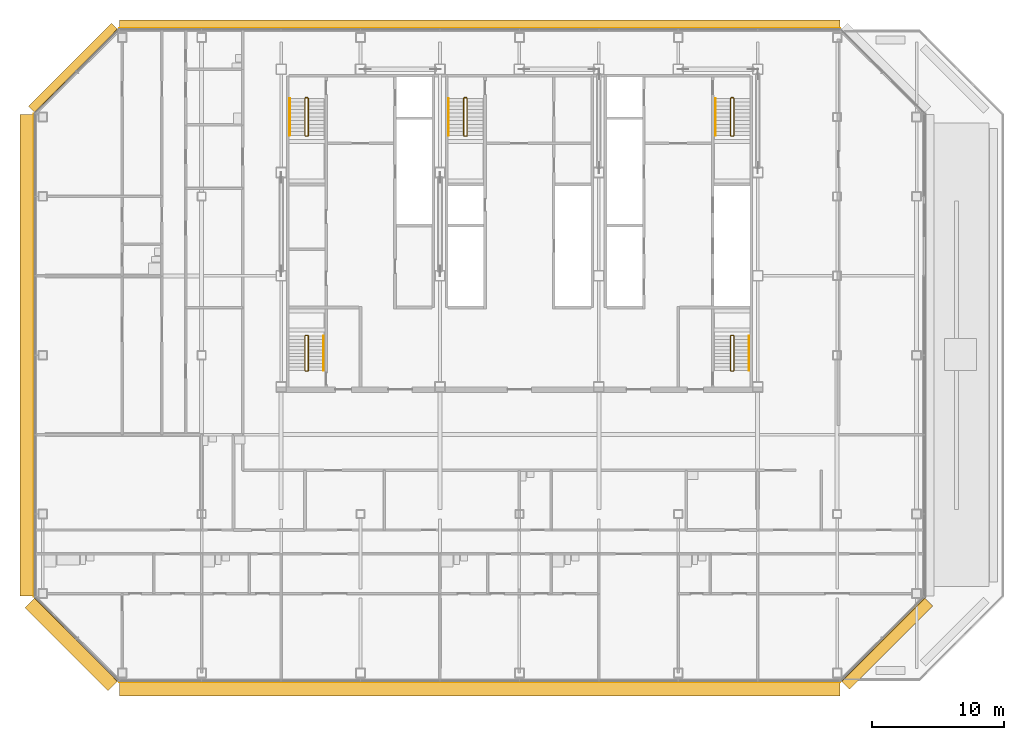
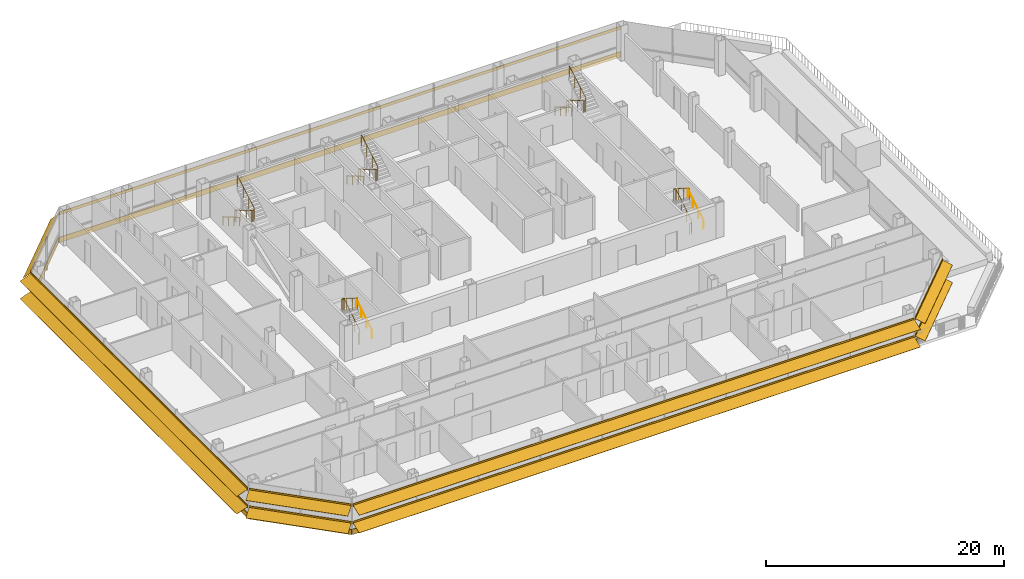
# One storey, part 24 of 27: 10 railings, 6 coverings, 6 shading devices.
"""IFC4 building model written with IfcOpenShell, lengths in metres."""

from ifc_helpers import new_model, si_unit, direction, frame, origin, origin_2d, place, context, subcontext, project, spatial, polyline, circle, outline, composite_profile, extrude, material, layer, layer_set, type_object, element, save


model = new_model("IFC4")

# Units and contexts
model_context = context("Model", 3, precision=1e-05, world=origin(), true_north=direction((0.0, 1.0)))
body_context = subcontext(model_context, "Body", "Model", "MODEL_VIEW")
ifc_project = project(units=[si_unit("LENGTHUNIT", "METRE"), si_unit("AREAUNIT", "SQUARE_METRE"), si_unit("VOLUMEUNIT", "CUBIC_METRE"), si_unit("PLANEANGLEUNIT", "RADIAN"), si_unit("MASSUNIT", "GRAM", prefix="KILO")], contexts=[model_context])

# Site, building, storey
site_placement = place(None, origin())
site = spatial("IfcSite", under=ifc_project, at=site_placement, CompositionType="ELEMENT")
building_placement = place(site_placement, origin())
building = spatial("IfcBuilding", under=site, at=building_placement, Name="Sorahane Residences", CompositionType="ELEMENT")
storey_placement = place(building_placement, frame((0.0, 0.0, 192.0)))
storey = spatial("IfcBuildingStorey", under=building, at=storey_placement, Name="L44", CompositionType="ELEMENT", Elevation=192.0)

# Shading devices
ifc_material_1 = material(Name="Terracotta anodised aluminium", Category="masonry")
shading_device_type_1 = type_object("IfcShadingDeviceType", Name="Louvre sunshade blade N terracotta aluminium 700", PredefinedType="JALOUSIE", material=ifc_material_1)
shading_device_1_placement = place(storey_placement, frame((48.198486328125, 48.60009765625, 2.699951171875), z_axis=(-1.0, 0.0, 0.0), x_axis=(0.0, -1.0, 0.0)))
element("IfcShadingDevice", 1, at=shading_device_1_placement, inside=storey, type_object=shading_device_type_1, Name="Louvre sunshade blade bank N L44 N1", PredefinedType="JALOUSIE", context=body_context, shape_type="SweptSolid", body=[
    extrude(outline(polyline([(-0.719970703125, -0.660888671875), (-0.719970703125, -0.69091796875), (-0.080078125, -0.072998046875), (-0.080078125, -0.14990234375), (-0.02001953125, -0.14990234375), (-0.02001953125, -0.014892578125), (-0.02001953125, 0.014892578125), (-0.02001953125, 0.14990234375), (-0.080078125, 0.14990234375), (-0.080078125, -0.04296875), (-0.719970703125, -0.660888671875)])), origin(), (0.0, 0.0, 1.0), 54.39697265625),
])
ifc_material_2 = material(Name="Terracotta anodised aluminium", Category="masonry")
shading_device_type_2 = type_object("IfcShadingDeviceType", Name="Louvre sunshade blade NW terracotta aluminium 700", PredefinedType="JALOUSIE", material=ifc_material_2)
shading_device_2_placement = place(storey_placement, frame((-6.283935546875, 48.564697265625, 2.699951171875), z_axis=(-0.707106781187, -0.707106781187, 0.0), x_axis=(0.707106781187, -0.707106781187, 0.0)))
element("IfcShadingDevice", 2, at=shading_device_2_placement, inside=storey, type_object=shading_device_type_2, Name="Louvre sunshade blade bank NW L44 NW1", PredefinedType="JALOUSIE", context=body_context, shape_type="SweptSolid", body=[
    extrude(outline(polyline([(-0.719970703125, -0.660888671875), (-0.719970703125, -0.69091796875), (-0.080078125, -0.072998046875), (-0.080078125, -0.14990234375), (-0.02001953125, -0.14990234375), (-0.02001953125, -0.014892578125), (-0.02001953125, 0.014892578125), (-0.02001953125, 0.14990234375), (-0.080078125, 0.14990234375), (-0.080078125, -0.04296875), (-0.719970703125, -0.660888671875)])), origin(), (0.0, 0.0, 1.0), 8.88232421875),
])
ifc_material_3 = material(Name="Terracotta anodised aluminium", Category="masonry")
shading_device_type_3 = type_object("IfcShadingDeviceType", Name="Louvre sunshade blade S terracotta aluminium 1100", PredefinedType="JALOUSIE", material=ifc_material_3)
shading_device_3_placement = place(storey_placement, frame((-6.198486328125, -0.60009765625, 0.89990234375), z_axis=(1.0, 0.0, 0.0), x_axis=(0.0, 1.0, 0.0)))
element("IfcShadingDevice", 3, at=shading_device_3_placement, inside=storey, type_object=shading_device_type_3, Name="Louvre sunshade blade bank S L44 S1", PredefinedType="JALOUSIE", context=body_context, shape_type="SweptSolid", body=[
    extrude(composite_profile([outline(polyline([(-1.1201171875, -0.385498046875), (-1.1201171875, -0.415283203125), (-0.080078125, -0.036865234375), (-0.080078125, -0.14990234375), (-0.02001953125, -0.14990234375), (-0.02001953125, -0.014892578125), (-0.02001953125, 0.014892578125), (-0.02001953125, 0.14990234375), (-0.080078125, 0.14990234375), (-0.080078125, -0.0068359375), (-1.1201171875, -0.385498046875)])), outline(polyline([(-1.1201171875, 1.41455078125), (-1.1201171875, 1.384521484375), (-0.080078125, 1.76318359375), (-0.080078125, 1.64990234375), (-0.02001953125, 1.64990234375), (-0.02001953125, 1.784912109375), (-0.02001953125, 1.81494140625), (-0.02001953125, 1.949951171875), (-0.080078125, 1.949951171875), (-0.080078125, 1.793212890625), (-1.1201171875, 1.41455078125)]))]), origin(), (0.0, 0.0, 1.0), 54.39697265625),
])
ifc_material_4 = material(Name="Terracotta anodised aluminium", Category="masonry")
shading_device_type_4 = type_object("IfcShadingDeviceType", Name="Louvre sunshade blade SE terracotta aluminium 900", PredefinedType="JALOUSIE", material=ifc_material_4)
shading_device_4_placement = place(storey_placement, frame((48.283935546875, -0.564697265625, 0.89990234375), z_axis=(0.707106781187, 0.707106781187, 0.0), x_axis=(-0.707106781187, 0.707106781187, 0.0)))
element("IfcShadingDevice", 4, at=shading_device_4_placement, inside=storey, type_object=shading_device_type_4, Name="Louvre sunshade blade bank SE L44 SE1", PredefinedType="JALOUSIE", context=body_context, shape_type="SweptSolid", body=[
    extrude(composite_profile([outline(polyline([(-0.919921875, -0.3486328125), (-0.919921875, -0.378662109375), (-0.080078125, -0.039306640625), (-0.080078125, -0.14990234375), (-0.02001953125, -0.14990234375), (-0.02001953125, -0.014892578125), (-0.02001953125, 0.014892578125), (-0.02001953125, 0.14990234375), (-0.080078125, 0.14990234375), (-0.080078125, -0.00927734375), (-0.919921875, -0.3486328125)])), outline(polyline([(-0.919921875, 1.451416015625), (-0.919921875, 1.42138671875), (-0.080078125, 1.7607421875), (-0.080078125, 1.64990234375), (-0.02001953125, 1.64990234375), (-0.02001953125, 1.784912109375), (-0.02001953125, 1.81494140625), (-0.02001953125, 1.949951171875), (-0.080078125, 1.949951171875), (-0.080078125, 1.790771484375), (-0.919921875, 1.451416015625)]))]), origin(), (0.0, 0.0, 1.0), 8.88232421875),
])
ifc_material_5 = material(Name="Terracotta anodised aluminium", Category="masonry")
shading_device_type_5 = type_object("IfcShadingDeviceType", Name="Louvre sunshade blade SW terracotta aluminium 1100", PredefinedType="JALOUSIE", material=ifc_material_5)
shading_device_5_placement = place(storey_placement, frame((-12.564697265625, 5.716064453125, 0.89990234375), z_axis=(0.707106781187, -0.707106781187, 0.0), x_axis=(0.707106781187, 0.707106781187, 0.0)))
element("IfcShadingDevice", 5, at=shading_device_5_placement, inside=storey, type_object=shading_device_type_5, Name="Louvre sunshade blade bank SW L44 SW1", PredefinedType="JALOUSIE", context=body_context, shape_type="SweptSolid", body=[
    extrude(composite_profile([outline(polyline([(-1.1201171875, -0.385498046875), (-1.1201171875, -0.415283203125), (-0.080078125, -0.036865234375), (-0.080078125, -0.14990234375), (-0.02001953125, -0.14990234375), (-0.02001953125, -0.014892578125), (-0.02001953125, 0.014892578125), (-0.02001953125, 0.14990234375), (-0.080078125, 0.14990234375), (-0.080078125, -0.0068359375), (-1.1201171875, -0.385498046875)])), outline(polyline([(-1.1201171875, 1.41455078125), (-1.1201171875, 1.384521484375), (-0.080078125, 1.76318359375), (-0.080078125, 1.64990234375), (-0.02001953125, 1.64990234375), (-0.02001953125, 1.784912109375), (-0.02001953125, 1.81494140625), (-0.02001953125, 1.949951171875), (-0.080078125, 1.949951171875), (-0.080078125, 1.793212890625), (-1.1201171875, 1.41455078125)]))]), origin(), (0.0, 0.0, 1.0), 8.88232421875),
])
ifc_material_6 = material(Name="Terracotta anodised aluminium", Category="masonry")
shading_device_type_6 = type_object("IfcShadingDeviceType", Name="Louvre sunshade blade W terracotta aluminium 1100", PredefinedType="JALOUSIE", material=ifc_material_6)
shading_device_6_placement = place(storey_placement, frame((-12.60009765625, 42.198486328125, 0.89990234375), z_axis=(0.0, -1.0, 0.0), x_axis=(1.0, 0.0, 0.0)))
element("IfcShadingDevice", 6, at=shading_device_6_placement, inside=storey, type_object=shading_device_type_6, Name="Louvre sunshade blade bank W L44 W1", PredefinedType="JALOUSIE", context=body_context, shape_type="SweptSolid", body=[
    extrude(composite_profile([outline(polyline([(-1.1201171875, -0.385498046875), (-1.1201171875, -0.415283203125), (-0.080078125, -0.036865234375), (-0.080078125, -0.14990234375), (-0.02001953125, -0.14990234375), (-0.02001953125, -0.014892578125), (-0.02001953125, 0.014892578125), (-0.02001953125, 0.14990234375), (-0.080078125, 0.14990234375), (-0.080078125, -0.0068359375), (-1.1201171875, -0.385498046875)])), outline(polyline([(-1.1201171875, 1.41455078125), (-1.1201171875, 1.384521484375), (-0.080078125, 1.76318359375), (-0.080078125, 1.64990234375), (-0.02001953125, 1.64990234375), (-0.02001953125, 1.784912109375), (-0.02001953125, 1.81494140625), (-0.02001953125, 1.949951171875), (-0.080078125, 1.949951171875), (-0.080078125, 1.793212890625), (-1.1201171875, 1.41455078125)]))]), origin(), (0.0, 0.0, 1.0), 36.39697265625),
])

# Coverings
ifc_material_7 = material(Name="Pale precast concrete cladding", Category="concrete")
ifc_layer = layer(ifc_material_7, 0.06005859375)
ifc_layer_set = layer_set([ifc_layer], Name="Slab edge fascia band pale precast concrete 550")
covering_type = type_object("IfcCoveringType", Name="Slab edge fascia band pale precast concrete 550", PredefinedType="CLADDING", material=ifc_layer_set)
covering_1_placement = place(storey_placement, frame((-6.228515625, -0.60009765625, -0.02490234375), z_axis=(1.0, 0.0, 0.0), x_axis=(0.0, 1.0, 0.0)))
element("IfcCovering", 7, at=covering_1_placement, inside=storey, type_object=covering_type, Name="Slab edge fascia pale L44 S1", PredefinedType="CLADDING", context=body_context, shape_type="SweptSolid", body=[
    extrude(outline(polyline([(-0.02001953125, 0.27490234375), (-0.080078125, 0.27490234375), (-0.080078125, -0.27490234375), (-0.02001953125, -0.27490234375), (-0.02001953125, 0.27490234375)])), origin(), (0.0, 0.0, 1.0), 54.45703125),
])
covering_2_placement = place(storey_placement, frame((48.2626953125, -0.5859375, -0.02490234375), z_axis=(0.707106781187, 0.707106781187, 0.0), x_axis=(-0.707106781187, 0.707106781187, 0.0)))
element("IfcCovering", 8, at=covering_2_placement, inside=storey, type_object=covering_type, Name="Slab edge fascia pale L44 SE1", PredefinedType="CLADDING", context=body_context, shape_type="SweptSolid", body=[
    extrude(outline(polyline([(-0.02001953125, 0.27490234375), (-0.080078125, 0.27490234375), (-0.080078125, -0.27490234375), (-0.02001953125, -0.27490234375), (-0.02001953125, 0.27490234375)])), origin(), (0.0, 0.0, 1.0), 8.9423828125),
])
covering_3_placement = place(storey_placement, frame((48.228515625, 48.60009765625, -0.02490234375), z_axis=(-1.0, 0.0, 0.0), x_axis=(0.0, -1.0, 0.0)))
element("IfcCovering", 9, at=covering_3_placement, inside=storey, type_object=covering_type, Name="Slab edge fascia pale L44 N1", PredefinedType="CLADDING", context=body_context, shape_type="SweptSolid", body=[
    extrude(outline(polyline([(-0.02001953125, 0.27490234375), (-0.080078125, 0.27490234375), (-0.080078125, -0.27490234375), (-0.02001953125, -0.27490234375), (-0.02001953125, 0.27490234375)])), origin(), (0.0, 0.0, 1.0), 54.45703125),
])
covering_4_placement = place(storey_placement, frame((-6.2626953125, 48.5859375, -0.02490234375), z_axis=(-0.707106781187, -0.707106781187, 0.0), x_axis=(0.707106781187, -0.707106781187, 0.0)))
element("IfcCovering", 10, at=covering_4_placement, inside=storey, type_object=covering_type, Name="Slab edge fascia pale L44 NW1", PredefinedType="CLADDING", context=body_context, shape_type="SweptSolid", body=[
    extrude(outline(polyline([(-0.02001953125, 0.27490234375), (-0.080078125, 0.27490234375), (-0.080078125, -0.27490234375), (-0.02001953125, -0.27490234375), (-0.02001953125, 0.27490234375)])), origin(), (0.0, 0.0, 1.0), 8.9423828125),
])
covering_5_placement = place(storey_placement, frame((-12.60009765625, 42.228515625, -0.02490234375), z_axis=(0.0, -1.0, 0.0), x_axis=(1.0, 0.0, 0.0)))
element("IfcCovering", 11, at=covering_5_placement, inside=storey, type_object=covering_type, Name="Slab edge fascia pale L44 W1", PredefinedType="CLADDING", context=body_context, shape_type="SweptSolid", body=[
    extrude(outline(polyline([(-0.02001953125, 0.27490234375), (-0.080078125, 0.27490234375), (-0.080078125, -0.27490234375), (-0.02001953125, -0.27490234375), (-0.02001953125, 0.27490234375)])), origin(), (0.0, 0.0, 1.0), 36.45703125),
])
covering_6_placement = place(storey_placement, frame((-12.5859375, 5.7373046875, -0.02490234375), z_axis=(0.707106781187, -0.707106781187, 0.0), x_axis=(0.707106781187, 0.707106781187, 0.0)))
element("IfcCovering", 12, at=covering_6_placement, inside=storey, type_object=covering_type, Name="Slab edge fascia pale L44 SW1", PredefinedType="CLADDING", context=body_context, shape_type="SweptSolid", body=[
    extrude(outline(polyline([(-0.02001953125, 0.27490234375), (-0.080078125, 0.27490234375), (-0.080078125, -0.27490234375), (-0.02001953125, -0.27490234375), (-0.02001953125, 0.27490234375)])), origin(), (0.0, 0.0, 1.0), 8.9423828125),
])

# Railings
ifc_material_8 = material(Name="Steel Q355B", Category="steel")
railing_type_1 = type_object("IfcRailingType", Name="Stair guard 1200 Steel Q355B", PredefinedType="GUARDRAIL", material=ifc_material_8)
railing_1_placement = place(storey_placement, frame((8.0, 43.449951171875, 0.0)))
element("IfcRailing", 13, at=railing_1_placement, inside=storey, type_object=railing_type_1, Name="L44 S1 stair guard 1", PredefinedType="GUARDRAIL", context=body_context, shape_type="SweptSolid", body=[
    extrude(circle(Radius=0.02392578125, at=origin_2d()), frame((0.0, 0.0, 1.17578125), z_axis=(-1.0, 0.0, 0.0), x_axis=(0.0, -1.0, 0.0)), (0.0, 0.0, 1.0), 0.14990234375),
    extrude(circle(Radius=0.02392578125, at=origin_2d()), frame((-0.14990234375, 0.0, 1.17578125), z_axis=(-0.280808744504, -0.280808744504, 0.917765164963), x_axis=(0.707106781187, -0.707106781187, 0.0)), (0.0, 0.0, 1.0), 0.17822265625),
    extrude(circle(Radius=0.02392578125, at=origin_2d()), frame((-0.199951171875, -0.050048828125, 1.33935546875), z_axis=(0.0, -0.863341702679, 0.504619762213), x_axis=(1.0, 0.0, 0.0)), (0.0, 0.0, 1.0), 3.242919921875),
    extrude(circle(Radius=0.02392578125, at=origin_2d()), frame((-0.199951171875, -2.849853515625, 2.97607421875), z_axis=(0.707106781187, -0.707106781187, 0.0), x_axis=(0.707106781187, 0.707106781187, 0.0)), (0.0, 0.0, 1.0), 0.07080078125),
    extrude(circle(Radius=0.02392578125, at=origin_2d()), frame((-0.14990234375, -2.89990234375, 2.97607421875), z_axis=(1.0, 0.0, 0.0), x_axis=(0.0, 1.0, 0.0)), (0.0, 0.0, 1.0), 0.14990234375),
    extrude(circle(Radius=0.02392578125, at=origin_2d()), frame((0.0, -2.89990234375, 2.97607421875), z_axis=(0.280808744504, 0.280808744504, 0.917765164963), x_axis=(-0.707106781187, 0.707106781187, 0.0)), (0.0, 0.0, 1.0), 0.17822265625),
    extrude(circle(Radius=0.02392578125, at=origin_2d()), frame((0.050048828125, -2.849853515625, 3.1396484375), z_axis=(0.0, 0.863341702679, 0.504619762213), x_axis=(-1.0, 0.0, 0.0)), (0.0, 0.0, 1.0), 3.242919921875),
    extrude(circle(Radius=0.02099609375, at=origin_2d()), origin(), (0.0, 0.0, 1.0), 1.15185546875),
    extrude(circle(Radius=0.02099609375, at=origin_2d()), frame((-0.14990234375, 0.0, 0.0)), (0.0, 0.0, 1.0), 1.15185546875),
    extrude(circle(Radius=0.02099609375, at=origin_2d()), frame((-0.199951171875, -0.050048828125, 0.16357421875)), (0.0, 0.0, 1.0), 1.15185546875),
    extrude(circle(Radius=0.02099609375, at=origin_2d()), frame((-0.199951171875, -0.9833984375, 0.708984375)), (0.0, 0.0, 1.0), 1.15185546875),
    extrude(circle(Radius=0.02099609375, at=origin_2d()), frame((-0.199951171875, -1.91650390625, 1.254638671875)), (0.0, 0.0, 1.0), 1.15185546875),
    extrude(circle(Radius=0.02099609375, at=origin_2d()), frame((-0.199951171875, -2.849853515625, 1.800048828125)), (0.0, 0.0, 1.0), 1.15185546875),
    extrude(circle(Radius=0.02099609375, at=origin_2d()), frame((-0.14990234375, -2.89990234375, 1.800048828125)), (0.0, 0.0, 1.0), 1.15185546875),
    extrude(circle(Radius=0.02099609375, at=origin_2d()), frame((0.0, -2.89990234375, 1.800048828125)), (0.0, 0.0, 1.0), 1.15185546875),
    extrude(circle(Radius=0.02099609375, at=origin_2d()), frame((0.050048828125, -2.849853515625, 1.963623046875)), (0.0, 0.0, 1.0), 1.15185546875),
    extrude(circle(Radius=0.02099609375, at=origin_2d()), frame((0.050048828125, -1.91650390625, 2.509033203125)), (0.0, 0.0, 1.0), 1.15185546875),
    extrude(circle(Radius=0.02099609375, at=origin_2d()), frame((0.050048828125, -0.9833984375, 3.0546875)), (0.0, 0.0, 1.0), 1.15185546875),
    extrude(circle(Radius=0.02099609375, at=origin_2d()), frame((0.050048828125, -0.050048828125, 3.60009765625)), (0.0, 0.0, 1.0), 1.15185546875),
])
railing_2_placement = place(storey_placement, frame((40.14990234375, 43.449951171875, 0.0)))
element("IfcRailing", 14, at=railing_2_placement, inside=storey, type_object=railing_type_1, Name="L44 S2 stair guard 1", PredefinedType="GUARDRAIL", context=body_context, shape_type="SweptSolid", body=[
    extrude(circle(Radius=0.02392578125, at=origin_2d()), frame((0.0, 0.0, 1.17578125), z_axis=(-1.0, 0.0, 0.0), x_axis=(0.0, -1.0, 0.0)), (0.0, 0.0, 1.0), 0.14990234375),
    extrude(circle(Radius=0.02392578125, at=origin_2d()), frame((-0.14990234375, 0.0, 1.17578125), z_axis=(-0.280808744504, -0.280808744504, 0.917765164963), x_axis=(0.707106781187, -0.707106781187, 0.0)), (0.0, 0.0, 1.0), 0.17822265625),
    extrude(circle(Radius=0.02392578125, at=origin_2d()), frame((-0.199951171875, -0.050048828125, 1.33935546875), z_axis=(0.0, -0.863341702679, 0.504619762213), x_axis=(1.0, 0.0, 0.0)), (0.0, 0.0, 1.0), 3.242919921875),
    extrude(circle(Radius=0.02392578125, at=origin_2d()), frame((-0.199951171875, -2.849853515625, 2.97607421875), z_axis=(0.707106781187, -0.707106781187, 0.0), x_axis=(0.707106781187, 0.707106781187, 0.0)), (0.0, 0.0, 1.0), 0.07080078125),
    extrude(circle(Radius=0.02392578125, at=origin_2d()), frame((-0.14990234375, -2.89990234375, 2.97607421875), z_axis=(1.0, 0.0, 0.0), x_axis=(0.0, 1.0, 0.0)), (0.0, 0.0, 1.0), 0.14990234375),
    extrude(circle(Radius=0.02392578125, at=origin_2d()), frame((0.0, -2.89990234375, 2.97607421875), z_axis=(0.280808744504, 0.280808744504, 0.917765164963), x_axis=(-0.707106781187, 0.707106781187, 0.0)), (0.0, 0.0, 1.0), 0.17822265625),
    extrude(circle(Radius=0.02392578125, at=origin_2d()), frame((0.050048828125, -2.849853515625, 3.1396484375), z_axis=(0.0, 0.863341702679, 0.504619762213), x_axis=(-1.0, 0.0, 0.0)), (0.0, 0.0, 1.0), 3.242919921875),
    extrude(circle(Radius=0.02099609375, at=origin_2d()), origin(), (0.0, 0.0, 1.0), 1.15185546875),
    extrude(circle(Radius=0.02099609375, at=origin_2d()), frame((-0.14990234375, 0.0, 0.0)), (0.0, 0.0, 1.0), 1.15185546875),
    extrude(circle(Radius=0.02099609375, at=origin_2d()), frame((-0.199951171875, -0.050048828125, 0.16357421875)), (0.0, 0.0, 1.0), 1.15185546875),
    extrude(circle(Radius=0.02099609375, at=origin_2d()), frame((-0.199951171875, -0.9833984375, 0.708984375)), (0.0, 0.0, 1.0), 1.15185546875),
    extrude(circle(Radius=0.02099609375, at=origin_2d()), frame((-0.199951171875, -1.91650390625, 1.254638671875)), (0.0, 0.0, 1.0), 1.15185546875),
    extrude(circle(Radius=0.02099609375, at=origin_2d()), frame((-0.199951171875, -2.849853515625, 1.800048828125)), (0.0, 0.0, 1.0), 1.15185546875),
    extrude(circle(Radius=0.02099609375, at=origin_2d()), frame((-0.14990234375, -2.89990234375, 1.800048828125)), (0.0, 0.0, 1.0), 1.15185546875),
    extrude(circle(Radius=0.02099609375, at=origin_2d()), frame((0.0, -2.89990234375, 1.800048828125)), (0.0, 0.0, 1.0), 1.15185546875),
    extrude(circle(Radius=0.02099609375, at=origin_2d()), frame((0.050048828125, -2.849853515625, 1.963623046875)), (0.0, 0.0, 1.0), 1.15185546875),
    extrude(circle(Radius=0.02099609375, at=origin_2d()), frame((0.050048828125, -1.91650390625, 2.509033203125)), (0.0, 0.0, 1.0), 1.15185546875),
    extrude(circle(Radius=0.02099609375, at=origin_2d()), frame((0.050048828125, -0.9833984375, 3.0546875)), (0.0, 0.0, 1.0), 1.15185546875),
    extrude(circle(Radius=0.02099609375, at=origin_2d()), frame((0.050048828125, -0.050048828125, 3.60009765625)), (0.0, 0.0, 1.0), 1.15185546875),
])
railing_3_placement = place(storey_placement, frame((20.0, 43.449951171875, 0.0)))
element("IfcRailing", 15, at=railing_3_placement, inside=storey, type_object=railing_type_1, Name="L44 S3 stair guard 1", PredefinedType="GUARDRAIL", context=body_context, shape_type="SweptSolid", body=[
    extrude(circle(Radius=0.02392578125, at=origin_2d()), frame((0.0, 0.0, 1.17578125), z_axis=(-1.0, 0.0, 0.0), x_axis=(0.0, -1.0, 0.0)), (0.0, 0.0, 1.0), 0.14990234375),
    extrude(circle(Radius=0.02392578125, at=origin_2d()), frame((-0.14990234375, 0.0, 1.17578125), z_axis=(-0.280808744504, -0.280808744504, 0.917765164963), x_axis=(0.707106781187, -0.707106781187, 0.0)), (0.0, 0.0, 1.0), 0.17822265625),
    extrude(circle(Radius=0.02392578125, at=origin_2d()), frame((-0.199951171875, -0.050048828125, 1.33935546875), z_axis=(0.0, -0.863341702679, 0.504619762213), x_axis=(1.0, 0.0, 0.0)), (0.0, 0.0, 1.0), 3.242919921875),
    extrude(circle(Radius=0.02392578125, at=origin_2d()), frame((-0.199951171875, -2.849853515625, 2.97607421875), z_axis=(0.707106781187, -0.707106781187, 0.0), x_axis=(0.707106781187, 0.707106781187, 0.0)), (0.0, 0.0, 1.0), 0.07080078125),
    extrude(circle(Radius=0.02392578125, at=origin_2d()), frame((-0.14990234375, -2.89990234375, 2.97607421875), z_axis=(1.0, 0.0, 0.0), x_axis=(0.0, 1.0, 0.0)), (0.0, 0.0, 1.0), 0.14990234375),
    extrude(circle(Radius=0.02392578125, at=origin_2d()), frame((0.0, -2.89990234375, 2.97607421875), z_axis=(0.280808744504, 0.280808744504, 0.917765164963), x_axis=(-0.707106781187, 0.707106781187, 0.0)), (0.0, 0.0, 1.0), 0.17822265625),
    extrude(circle(Radius=0.02392578125, at=origin_2d()), frame((0.050048828125, -2.849853515625, 3.1396484375), z_axis=(0.0, 0.863341702679, 0.504619762213), x_axis=(-1.0, 0.0, 0.0)), (0.0, 0.0, 1.0), 3.242919921875),
    extrude(circle(Radius=0.02099609375, at=origin_2d()), origin(), (0.0, 0.0, 1.0), 1.15185546875),
    extrude(circle(Radius=0.02099609375, at=origin_2d()), frame((-0.14990234375, 0.0, 0.0)), (0.0, 0.0, 1.0), 1.15185546875),
    extrude(circle(Radius=0.02099609375, at=origin_2d()), frame((-0.199951171875, -0.050048828125, 0.16357421875)), (0.0, 0.0, 1.0), 1.15185546875),
    extrude(circle(Radius=0.02099609375, at=origin_2d()), frame((-0.199951171875, -0.9833984375, 0.708984375)), (0.0, 0.0, 1.0), 1.15185546875),
    extrude(circle(Radius=0.02099609375, at=origin_2d()), frame((-0.199951171875, -1.91650390625, 1.254638671875)), (0.0, 0.0, 1.0), 1.15185546875),
    extrude(circle(Radius=0.02099609375, at=origin_2d()), frame((-0.199951171875, -2.849853515625, 1.800048828125)), (0.0, 0.0, 1.0), 1.15185546875),
    extrude(circle(Radius=0.02099609375, at=origin_2d()), frame((-0.14990234375, -2.89990234375, 1.800048828125)), (0.0, 0.0, 1.0), 1.15185546875),
    extrude(circle(Radius=0.02099609375, at=origin_2d()), frame((0.0, -2.89990234375, 1.800048828125)), (0.0, 0.0, 1.0), 1.15185546875),
    extrude(circle(Radius=0.02099609375, at=origin_2d()), frame((0.050048828125, -2.849853515625, 1.963623046875)), (0.0, 0.0, 1.0), 1.15185546875),
    extrude(circle(Radius=0.02099609375, at=origin_2d()), frame((0.050048828125, -1.91650390625, 2.509033203125)), (0.0, 0.0, 1.0), 1.15185546875),
    extrude(circle(Radius=0.02099609375, at=origin_2d()), frame((0.050048828125, -0.9833984375, 3.0546875)), (0.0, 0.0, 1.0), 1.15185546875),
    extrude(circle(Radius=0.02099609375, at=origin_2d()), frame((0.050048828125, -0.050048828125, 3.60009765625)), (0.0, 0.0, 1.0), 1.15185546875),
])
railing_4_placement = place(storey_placement, frame((7.85009765625, 22.800048828125, 0.0)))
element("IfcRailing", 16, at=railing_4_placement, inside=storey, type_object=railing_type_1, Name="L44 S4 stair guard 1", PredefinedType="GUARDRAIL", context=body_context, shape_type="SweptSolid", body=[
    extrude(circle(Radius=0.02392578125, at=origin_2d()), frame((0.0, 0.0, 1.17578125), z_axis=(1.0, 0.0, 0.0), x_axis=(0.0, 1.0, 0.0)), (0.0, 0.0, 1.0), 0.14990234375),
    extrude(circle(Radius=0.02392578125, at=origin_2d()), frame((0.14990234375, 0.0, 1.17578125), z_axis=(0.280808744504, 0.280808744504, 0.917765164963), x_axis=(-0.707106781187, 0.707106781187, 0.0)), (0.0, 0.0, 1.0), 0.17822265625),
    extrude(circle(Radius=0.02392578125, at=origin_2d()), frame((0.199951171875, 0.050048828125, 1.33935546875), z_axis=(0.0, 0.846301844409, 0.532703658848), x_axis=(-1.0, 0.0, 0.0)), (0.0, 0.0, 1.0), 3.072021484375),
    extrude(circle(Radius=0.02392578125, at=origin_2d()), frame((0.199951171875, 2.64990234375, 2.97607421875), z_axis=(-0.707106781187, 0.707106781187, 0.0), x_axis=(-0.707106781187, -0.707106781187, 0.0)), (0.0, 0.0, 1.0), 0.07080078125),
    extrude(circle(Radius=0.02392578125, at=origin_2d()), frame((0.14990234375, 2.699951171875, 2.97607421875), z_axis=(-1.0, 0.0, 0.0), x_axis=(0.0, -1.0, 0.0)), (0.0, 0.0, 1.0), 0.14990234375),
    extrude(circle(Radius=0.02392578125, at=origin_2d()), frame((0.0, 2.699951171875, 2.97607421875), z_axis=(-0.280808744504, -0.280808744504, 0.917765164963), x_axis=(0.707106781187, -0.707106781187, 0.0)), (0.0, 0.0, 1.0), 0.17822265625),
    extrude(circle(Radius=0.02392578125, at=origin_2d()), frame((-0.050048828125, 2.64990234375, 3.1396484375), z_axis=(0.0, -0.846301844409, 0.532703658848), x_axis=(1.0, 0.0, 0.0)), (0.0, 0.0, 1.0), 3.072021484375),
    extrude(circle(Radius=0.02099609375, at=origin_2d()), origin(), (0.0, 0.0, 1.0), 1.15185546875),
    extrude(circle(Radius=0.02099609375, at=origin_2d()), frame((0.14990234375, 0.0, 0.0)), (0.0, 0.0, 1.0), 1.15185546875),
    extrude(circle(Radius=0.02099609375, at=origin_2d()), frame((0.199951171875, 0.050048828125, 0.16357421875)), (0.0, 0.0, 1.0), 1.15185546875),
    extrude(circle(Radius=0.02099609375, at=origin_2d()), frame((0.199951171875, 0.916748046875, 0.708984375)), (0.0, 0.0, 1.0), 1.15185546875),
    extrude(circle(Radius=0.02099609375, at=origin_2d()), frame((0.199951171875, 1.783203125, 1.254638671875)), (0.0, 0.0, 1.0), 1.15185546875),
    extrude(circle(Radius=0.02099609375, at=origin_2d()), frame((0.199951171875, 2.64990234375, 1.800048828125)), (0.0, 0.0, 1.0), 1.15185546875),
    extrude(circle(Radius=0.02099609375, at=origin_2d()), frame((0.14990234375, 2.699951171875, 1.800048828125)), (0.0, 0.0, 1.0), 1.15185546875),
    extrude(circle(Radius=0.02099609375, at=origin_2d()), frame((0.0, 2.699951171875, 1.800048828125)), (0.0, 0.0, 1.0), 1.15185546875),
    extrude(circle(Radius=0.02099609375, at=origin_2d()), frame((-0.050048828125, 2.64990234375, 1.963623046875)), (0.0, 0.0, 1.0), 1.15185546875),
    extrude(circle(Radius=0.02099609375, at=origin_2d()), frame((-0.050048828125, 1.783203125, 2.509033203125)), (0.0, 0.0, 1.0), 1.15185546875),
    extrude(circle(Radius=0.02099609375, at=origin_2d()), frame((-0.050048828125, 0.916748046875, 3.0546875)), (0.0, 0.0, 1.0), 1.15185546875),
    extrude(circle(Radius=0.02099609375, at=origin_2d()), frame((-0.050048828125, 0.050048828125, 3.60009765625)), (0.0, 0.0, 1.0), 1.15185546875),
])
railing_5_placement = place(storey_placement, frame((40.0, 22.800048828125, 0.0)))
element("IfcRailing", 17, at=railing_5_placement, inside=storey, type_object=railing_type_1, Name="L44 S5 stair guard 1", PredefinedType="GUARDRAIL", context=body_context, shape_type="SweptSolid", body=[
    extrude(circle(Radius=0.02392578125, at=origin_2d()), frame((0.0, 0.0, 1.17578125), z_axis=(1.0, 0.0, 0.0), x_axis=(0.0, 1.0, 0.0)), (0.0, 0.0, 1.0), 0.14990234375),
    extrude(circle(Radius=0.02392578125, at=origin_2d()), frame((0.14990234375, 0.0, 1.17578125), z_axis=(0.280808744504, 0.280808744504, 0.917765164963), x_axis=(-0.707106781187, 0.707106781187, 0.0)), (0.0, 0.0, 1.0), 0.17822265625),
    extrude(circle(Radius=0.02392578125, at=origin_2d()), frame((0.199951171875, 0.050048828125, 1.33935546875), z_axis=(0.0, 0.846301844409, 0.532703658848), x_axis=(-1.0, 0.0, 0.0)), (0.0, 0.0, 1.0), 3.072021484375),
    extrude(circle(Radius=0.02392578125, at=origin_2d()), frame((0.199951171875, 2.64990234375, 2.97607421875), z_axis=(-0.707106781187, 0.707106781187, 0.0), x_axis=(-0.707106781187, -0.707106781187, 0.0)), (0.0, 0.0, 1.0), 0.07080078125),
    extrude(circle(Radius=0.02392578125, at=origin_2d()), frame((0.14990234375, 2.699951171875, 2.97607421875), z_axis=(-1.0, 0.0, 0.0), x_axis=(0.0, -1.0, 0.0)), (0.0, 0.0, 1.0), 0.14990234375),
    extrude(circle(Radius=0.02392578125, at=origin_2d()), frame((0.0, 2.699951171875, 2.97607421875), z_axis=(-0.280808744504, -0.280808744504, 0.917765164963), x_axis=(0.707106781187, -0.707106781187, 0.0)), (0.0, 0.0, 1.0), 0.17822265625),
    extrude(circle(Radius=0.02392578125, at=origin_2d()), frame((-0.050048828125, 2.64990234375, 3.1396484375), z_axis=(0.0, -0.846301844409, 0.532703658848), x_axis=(1.0, 0.0, 0.0)), (0.0, 0.0, 1.0), 3.072021484375),
    extrude(circle(Radius=0.02099609375, at=origin_2d()), origin(), (0.0, 0.0, 1.0), 1.15185546875),
    extrude(circle(Radius=0.02099609375, at=origin_2d()), frame((0.14990234375, 0.0, 0.0)), (0.0, 0.0, 1.0), 1.15185546875),
    extrude(circle(Radius=0.02099609375, at=origin_2d()), frame((0.199951171875, 0.050048828125, 0.16357421875)), (0.0, 0.0, 1.0), 1.15185546875),
    extrude(circle(Radius=0.02099609375, at=origin_2d()), frame((0.199951171875, 0.916748046875, 0.708984375)), (0.0, 0.0, 1.0), 1.15185546875),
    extrude(circle(Radius=0.02099609375, at=origin_2d()), frame((0.199951171875, 1.783203125, 1.254638671875)), (0.0, 0.0, 1.0), 1.15185546875),
    extrude(circle(Radius=0.02099609375, at=origin_2d()), frame((0.199951171875, 2.64990234375, 1.800048828125)), (0.0, 0.0, 1.0), 1.15185546875),
    extrude(circle(Radius=0.02099609375, at=origin_2d()), frame((0.14990234375, 2.699951171875, 1.800048828125)), (0.0, 0.0, 1.0), 1.15185546875),
    extrude(circle(Radius=0.02099609375, at=origin_2d()), frame((0.0, 2.699951171875, 1.800048828125)), (0.0, 0.0, 1.0), 1.15185546875),
    extrude(circle(Radius=0.02099609375, at=origin_2d()), frame((-0.050048828125, 2.64990234375, 1.963623046875)), (0.0, 0.0, 1.0), 1.15185546875),
    extrude(circle(Radius=0.02099609375, at=origin_2d()), frame((-0.050048828125, 1.783203125, 2.509033203125)), (0.0, 0.0, 1.0), 1.15185546875),
    extrude(circle(Radius=0.02099609375, at=origin_2d()), frame((-0.050048828125, 0.916748046875, 3.0546875)), (0.0, 0.0, 1.0), 1.15185546875),
    extrude(circle(Radius=0.02099609375, at=origin_2d()), frame((-0.050048828125, 0.050048828125, 3.60009765625)), (0.0, 0.0, 1.0), 1.15185546875),
])
ifc_material_9 = material(Name="Steel Q355B", Category="steel")
railing_type_2 = type_object("IfcRailingType", Name="Stair handrail 900 Steel Q355B", PredefinedType="HANDRAIL", material=ifc_material_9)
for number, where, name in (
    (18, (6.64990234375, 43.39990234375, 0.16357421875), "L44 S1 stair handrail 1"),
    (19, (38.800048828125, 43.39990234375, 0.16357421875), "L44 S2 stair handrail 1"),
    (20, (18.64990234375, 43.39990234375, 0.16357421875), "L44 S3 stair handrail 1"),
):
    element("IfcRailing", number, at=place(storey_placement, frame(where)), inside=storey, type_object=railing_type_2, Name=name, PredefinedType="HANDRAIL", context=body_context, shape_type="SweptSolid", body=[
        extrude(circle(Radius=0.02392578125, at=origin_2d()), frame((0.0, 0.0, 0.8759765625), z_axis=(0.0, -0.863341702679, 0.504619762213), x_axis=(1.0, 0.0, 0.0)), (0.0, 0.0, 1.0), 3.242919921875),
        extrude(circle(Radius=0.02099609375, at=origin_2d()), origin(), (0.0, 0.0, 1.0), 0.851806640625),
        extrude(circle(Radius=0.02099609375, at=origin_2d()), frame((0.0, -0.933349609375, 0.54541015625)), (0.0, 0.0, 1.0), 0.851806640625),
        extrude(circle(Radius=0.02099609375, at=origin_2d()), frame((0.0, -1.866455078125, 1.091064453125)), (0.0, 0.0, 1.0), 0.851806640625),
        extrude(circle(Radius=0.02099609375, at=origin_2d()), frame((0.0, -2.7998046875, 1.636474609375)), (0.0, 0.0, 1.0), 0.851806640625),
    ])
for number, where, name in (
    (21, (9.199951171875, 22.85009765625, 0.16357421875), "L44 S4 stair handrail 1"),
    (22, (41.35009765625, 22.85009765625, 0.16357421875), "L44 S5 stair handrail 1"),
):
    element("IfcRailing", number, at=place(storey_placement, frame(where)), inside=storey, type_object=railing_type_2, Name=name, PredefinedType="HANDRAIL", context=body_context, shape_type="SweptSolid", body=[
        extrude(circle(Radius=0.02392578125, at=origin_2d()), frame((0.0, 0.0, 0.8759765625), z_axis=(0.0, 0.846301844409, 0.532703658848), x_axis=(-1.0, 0.0, 0.0)), (0.0, 0.0, 1.0), 3.072021484375),
        extrude(circle(Radius=0.02099609375, at=origin_2d()), origin(), (0.0, 0.0, 1.0), 0.851806640625),
        extrude(circle(Radius=0.02099609375, at=origin_2d()), frame((0.0, 0.86669921875, 0.54541015625)), (0.0, 0.0, 1.0), 0.851806640625),
        extrude(circle(Radius=0.02099609375, at=origin_2d()), frame((0.0, 1.733154296875, 1.091064453125)), (0.0, 0.0, 1.0), 0.851806640625),
        extrude(circle(Radius=0.02099609375, at=origin_2d()), frame((0.0, 2.599853515625, 1.636474609375)), (0.0, 0.0, 1.0), 0.851806640625),
    ])

save(model, "model.ifc")
